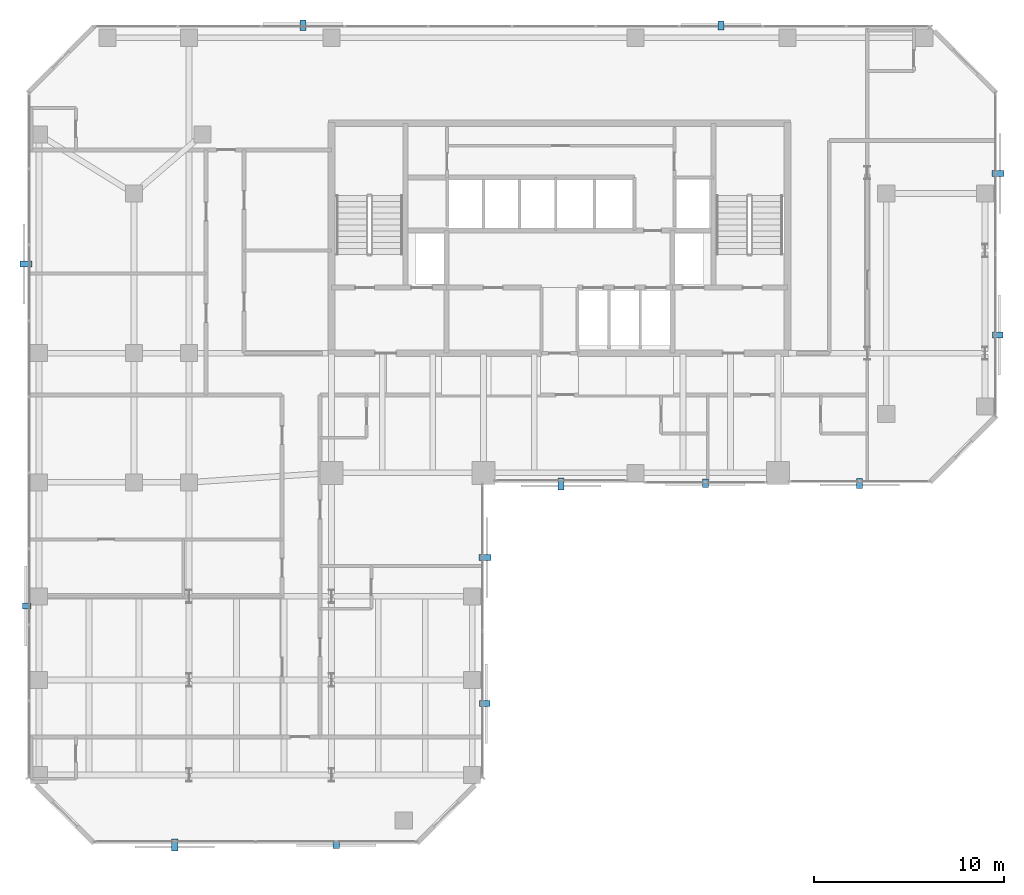
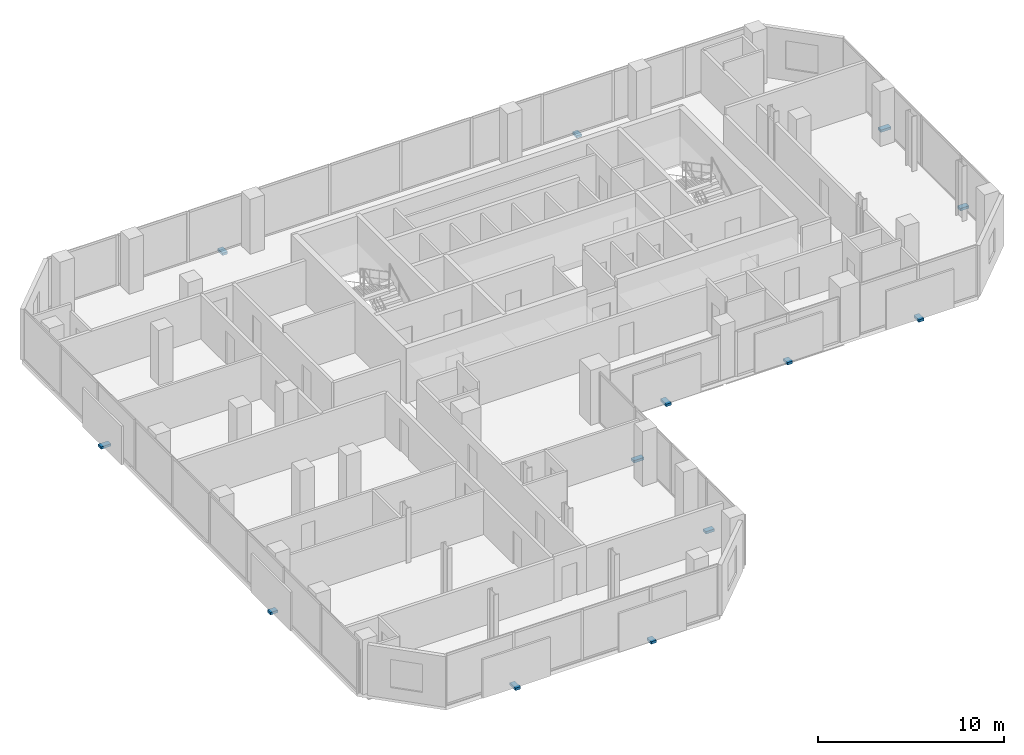
# One storey, part 31 of 33: 13 discrete accessories.
"""IFC4 building model written with IfcOpenShell, lengths in metres."""

from ifc_helpers import new_model, si_unit, direction, frame, origin, origin_2d, place, context, subcontext, project, spatial, rectangle, extrude, material, type_object, element, save


model = new_model("IFC4")

# Units and contexts
model_context = context("Model", 3, precision=1e-05, world=origin(), true_north=direction((0.0, 1.0)))
body_context = subcontext(model_context, "Body", "Model", "MODEL_VIEW")
ifc_project = project(units=[si_unit("LENGTHUNIT", "METRE"), si_unit("AREAUNIT", "SQUARE_METRE"), si_unit("VOLUMEUNIT", "CUBIC_METRE"), si_unit("PLANEANGLEUNIT", "RADIAN"), si_unit("MASSUNIT", "GRAM", prefix="KILO")], contexts=[model_context])

# Site, building, storey
site_placement = place(None, origin())
site = spatial("IfcSite", under=ifc_project, at=site_placement, CompositionType="ELEMENT")
building_placement = place(site_placement, origin())
building = spatial("IfcBuilding", under=site, at=building_placement, Name="Catumbela Crestline Tower", CompositionType="ELEMENT")
storey_placement = place(building_placement, frame((0.0, 0.0, 108.0)))
storey = spatial("IfcBuildingStorey", under=building, at=storey_placement, Name="L27", CompositionType="ELEMENT", Elevation=108.0)

# Discrete accessories
ifc_material = material(Name="Stainless steel EN 1.4401", Category="steel")
discrete_accessory_type = type_object("IfcDiscreteAccessoryType", Name="BK-SS1", PredefinedType="BRACKET", material=ifc_material)
discrete_accessory_1_placement = place(storey_placement, frame((7.75, 4.915, -0.18), z_axis=(0.0, 0.0, 1.0), x_axis=(1.0, 0.0, 0.0)))
element("IfcDiscreteAccessory", 1, at=discrete_accessory_1_placement, inside=storey, type_object=discrete_accessory_type, Name="L27 Solar Screen Stainless Bracket 276", PredefinedType="BRACKET", context=body_context, shape_type="SweptSolid", body=[
    extrude(rectangle(XDim=0.32, YDim=0.62, at=origin_2d()), origin(), (0.0, 0.0, 1.0), 0.16),
])
discrete_accessory_2_placement = place(storey_placement, frame((16.25, 4.955, -0.18), z_axis=(0.0, 0.0, 1.0), x_axis=(1.0, 0.0, 0.0)))
element("IfcDiscreteAccessory", 2, at=discrete_accessory_2_placement, inside=storey, type_object=discrete_accessory_type, Name="L27 Solar Screen Stainless Bracket 277", PredefinedType="BRACKET", context=body_context, shape_type="SweptSolid", body=[
    extrude(rectangle(XDim=0.32, YDim=0.46, at=origin_2d()), origin(), (0.0, 0.0, 1.0), 0.16),
])
discrete_accessory_3_placement = place(storey_placement, frame((24.065, 12.35, -0.18), z_axis=(0.0, 0.0, 1.0), x_axis=(0.0, 1.0, 0.0)))
element("IfcDiscreteAccessory", 3, at=discrete_accessory_3_placement, inside=storey, type_object=discrete_accessory_type, Name="L27 Solar Screen Stainless Bracket 278", PredefinedType="BRACKET", context=body_context, shape_type="SweptSolid", body=[
    extrude(rectangle(XDim=0.32, YDim=0.54, at=origin_2d()), origin(), (0.0, 0.0, 1.0), 0.16),
])
for number, where, z_axis, x_axis, name in (
    (4, (24.085, 20.05, -0.18), (0.0, 0.0, 1.0), (0.0, 1.0, 0.0), "L27 Solar Screen Stainless Bracket 279"),
    (5, (28.075, 23.915, -0.18), (0.0, 0.0, 1.0), (1.0, 0.0, 0.0), "L27 Solar Screen Stainless Bracket 280"),
):
    element("IfcDiscreteAccessory", number, at=place(storey_placement, frame(where, z_axis=z_axis, x_axis=x_axis)), inside=storey, type_object=discrete_accessory_type, Name=name, PredefinedType="BRACKET", context=body_context, shape_type="SweptSolid", body=[
        extrude(rectangle(XDim=0.32, YDim=0.62, at=origin_2d()), origin(), (0.0, 0.0, 1.0), 0.16),
    ])
discrete_accessory_4_placement = place(storey_placement, frame((35.675, 23.955, -0.18), z_axis=(0.0, 0.0, 1.0), x_axis=(1.0, 0.0, 0.0)))
element("IfcDiscreteAccessory", 6, at=discrete_accessory_4_placement, inside=storey, type_object=discrete_accessory_type, Name="L27 Solar Screen Stainless Bracket 281", PredefinedType="BRACKET", context=body_context, shape_type="SweptSolid", body=[
    extrude(rectangle(XDim=0.32, YDim=0.46, at=origin_2d()), origin(), (0.0, 0.0, 1.0), 0.16),
])
for number, where, z_axis, x_axis, name in (
    (7, (43.8, 23.935, -0.18), (0.0, 0.0, 1.0), (1.0, 0.0, 0.0), "L27 Solar Screen Stainless Bracket 282"),
    (8, (51.065, 31.75, -0.18), (0.0, 0.0, 1.0), (0.0, 1.0, 0.0), "L27 Solar Screen Stainless Bracket 283"),
):
    element("IfcDiscreteAccessory", number, at=place(storey_placement, frame(where, z_axis=z_axis, x_axis=x_axis)), inside=storey, type_object=discrete_accessory_type, Name=name, PredefinedType="BRACKET", context=body_context, shape_type="SweptSolid", body=[
        extrude(rectangle(XDim=0.32, YDim=0.54, at=origin_2d()), origin(), (0.0, 0.0, 1.0), 0.16),
    ])
discrete_accessory_5_placement = place(storey_placement, frame((51.085, 40.25, -0.18), z_axis=(0.0, 0.0, 1.0), x_axis=(0.0, 1.0, 0.0)))
element("IfcDiscreteAccessory", 9, at=discrete_accessory_5_placement, inside=storey, type_object=discrete_accessory_type, Name="L27 Solar Screen Stainless Bracket 284", PredefinedType="BRACKET", context=body_context, shape_type="SweptSolid", body=[
    extrude(rectangle(XDim=0.32, YDim=0.62, at=origin_2d()), origin(), (0.0, 0.0, 1.0), 0.16),
])
discrete_accessory_6_placement = place(storey_placement, frame((36.5, 48.045, -0.18), z_axis=(0.0, 0.0, 1.0), x_axis=(-1.0, 0.0, 0.0)))
element("IfcDiscreteAccessory", 10, at=discrete_accessory_6_placement, inside=storey, type_object=discrete_accessory_type, Name="L27 Solar Screen Stainless Bracket 285", PredefinedType="BRACKET", context=body_context, shape_type="SweptSolid", body=[
    extrude(rectangle(XDim=0.32, YDim=0.46, at=origin_2d()), origin(), (0.0, 0.0, 1.0), 0.16),
])
discrete_accessory_7_placement = place(storey_placement, frame((14.5, 48.065, -0.18), z_axis=(0.0, 0.0, 1.0), x_axis=(-1.0, 0.0, 0.0)))
element("IfcDiscreteAccessory", 11, at=discrete_accessory_7_placement, inside=storey, type_object=discrete_accessory_type, Name="L27 Solar Screen Stainless Bracket 286", PredefinedType="BRACKET", context=body_context, shape_type="SweptSolid", body=[
    extrude(rectangle(XDim=0.32, YDim=0.54, at=origin_2d()), origin(), (0.0, 0.0, 1.0), 0.16),
])
discrete_accessory_8_placement = place(storey_placement, frame((-0.085, 35.5, -0.18), z_axis=(0.0, 0.0, 1.0), x_axis=(0.0, -1.0, 0.0)))
element("IfcDiscreteAccessory", 12, at=discrete_accessory_8_placement, inside=storey, type_object=discrete_accessory_type, Name="L27 Solar Screen Stainless Bracket 287", PredefinedType="BRACKET", context=body_context, shape_type="SweptSolid", body=[
    extrude(rectangle(XDim=0.32, YDim=0.62, at=origin_2d()), origin(), (0.0, 0.0, 1.0), 0.16),
])
discrete_accessory_9_placement = place(storey_placement, frame((-0.045, 17.5, -0.18), z_axis=(0.0, 0.0, 1.0), x_axis=(0.0, -1.0, 0.0)))
element("IfcDiscreteAccessory", 13, at=discrete_accessory_9_placement, inside=storey, type_object=discrete_accessory_type, Name="L27 Solar Screen Stainless Bracket 288", PredefinedType="BRACKET", context=body_context, shape_type="SweptSolid", body=[
    extrude(rectangle(XDim=0.32, YDim=0.46, at=origin_2d()), origin(), (0.0, 0.0, 1.0), 0.16),
])

save(model, "model.ifc")
